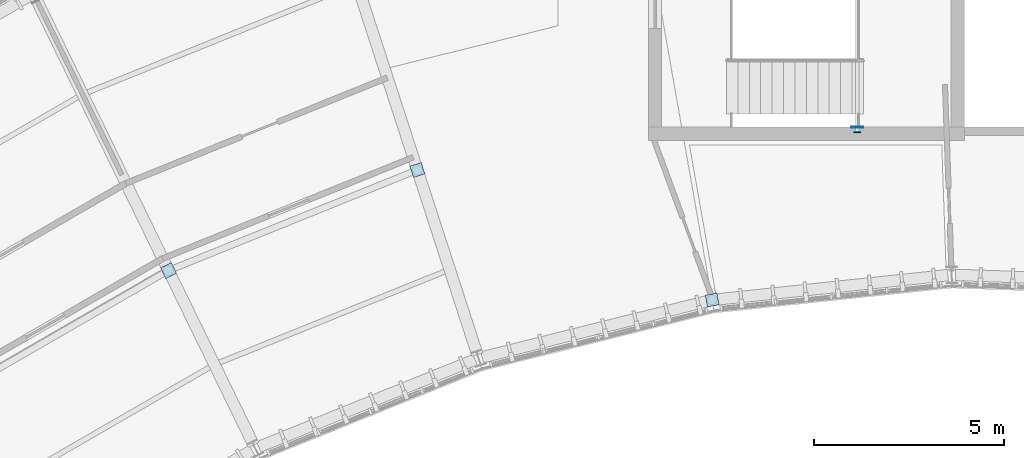
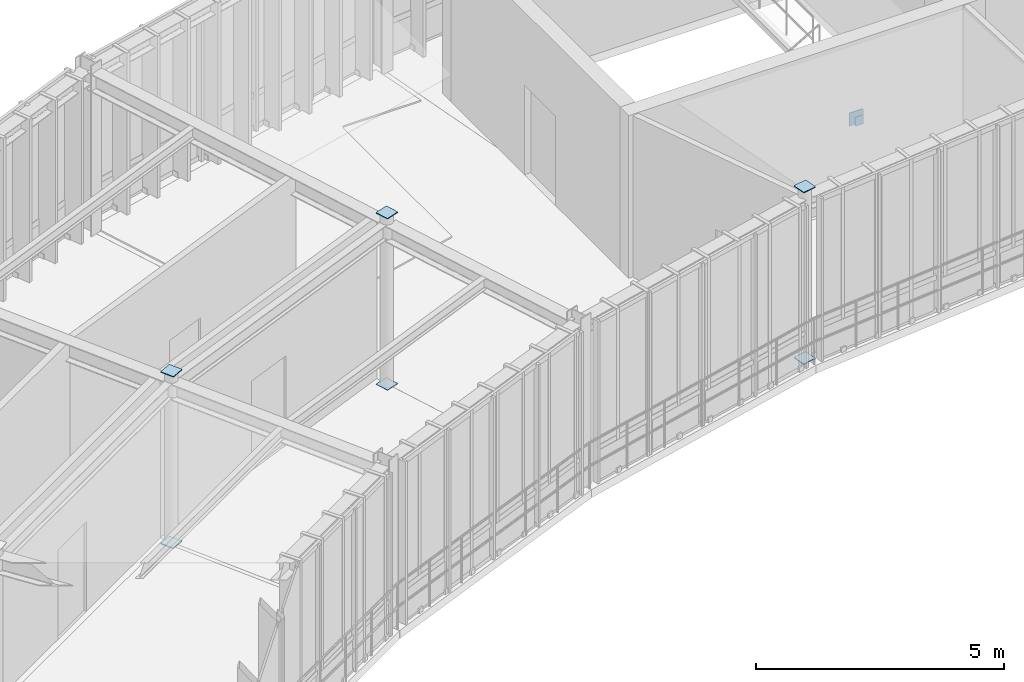
# One storey, part 36 of 52: 8 plates.
"""IFC4 building model written with IfcOpenShell, lengths in metres."""

from ifc_helpers import new_model, si_unit, direction, frame, origin, origin_2d, place, context, subcontext, project, spatial, rectangle, extrude, material, layer, layer_set, type_object, element, save


model = new_model("IFC4")

# Units and contexts
model_context = context("Model", 3, precision=1e-05, world=origin(), true_north=direction((0.0, 1.0)))
body_context = subcontext(model_context, "Body", "Model", "MODEL_VIEW")
ifc_project = project(units=[si_unit("LENGTHUNIT", "METRE"), si_unit("AREAUNIT", "SQUARE_METRE"), si_unit("VOLUMEUNIT", "CUBIC_METRE"), si_unit("PLANEANGLEUNIT", "RADIAN"), si_unit("MASSUNIT", "GRAM", prefix="KILO"), si_unit("THERMODYNAMICTEMPERATUREUNIT", "KELVIN"), si_unit("POWERUNIT", "WATT")], contexts=[model_context])

# Site, building, storey
site_placement = place(None, origin())
site = spatial("IfcSite", under=ifc_project, at=site_placement, CompositionType="ELEMENT")
building_placement = place(site_placement, origin())
building = spatial("IfcBuilding", under=site, at=building_placement, Name="Solvatero Civic Police Headquarters", CompositionType="ELEMENT")
storey_placement = place(building_placement, frame((0.0, 0.0, 13.5)))
storey = spatial("IfcBuildingStorey", under=building, at=storey_placement, Name="L03", CompositionType="ELEMENT", Elevation=13.5)

# Plates
ifc_material = material(Name="Steel S355", Category="steel")
ifc_layer_1 = layer(ifc_material, 0.02001953125)
ifc_layer_set_1 = layer_set([ifc_layer_1], Name="Steel S355")
plate_type_1 = type_object("IfcPlateType", Name="PLT-CAP-20", PredefinedType="SHEET", material=ifc_layer_set_1)
for number, where, z_axis, x_axis, name in (
    (1, (86.125, 70.660888671875, 4.199951171875), (0.0, 0.0, 1.0), (0.984807753012, 0.173648177667, 0.0), "Hollow Section End Cap Plate 0005"),
    (2, (86.125, 70.660888671875, -0.02001953125), (0.0, 0.0, 1.0), (0.984807753012, 0.173648177667, 0.0), "Hollow Section End Cap Plate 0006"),
    (3, (78.379150390625, 74.075927734375, 4.199951171875), (0.0, 0.0, 1.0), (0.951056516295, 0.309016994375, 0.0), "Hollow Section End Cap Plate 0009"),
    (4, (78.379150390625, 74.075927734375, -0.02001953125), (0.0, 0.0, 1.0), (0.951056516295, 0.309016994375, 0.0), "Hollow Section End Cap Plate 0010"),
    (5, (71.84033203125, 71.43408203125, 4.199951171875), (0.0, 0.0, 1.0), (0.898794046299, 0.438371146789, 0.0), "Hollow Section End Cap Plate 0013"),
    (6, (71.84033203125, 71.43408203125, -0.02001953125), (0.0, 0.0, 1.0), (0.898794046299, 0.438371146789, 0.0), "Hollow Section End Cap Plate 0014"),
):
    element("IfcPlate", number, at=place(storey_placement, frame(where, z_axis=z_axis, x_axis=x_axis)), inside=storey, type_object=plate_type_1, Name=name, PredefinedType="SHEET", context=body_context, shape_type="SweptSolid", body=[
        extrude(rectangle(XDim=0.31298828125, YDim=0.31298828125, at=origin_2d()), origin(), (0.0, 0.0, 1.0), 0.02001953125),
    ])
plate_1_placement = place(storey_placement, frame((89.93994140625, 75.070068359375, 1.71484375), z_axis=(0.0, 0.0, 1.0), x_axis=(1.0, 0.0, 0.0)))
element("IfcPlate", 7, at=plate_1_placement, inside=storey, type_object=plate_type_1, Name="Hollow Section Cap Plate 0047", PredefinedType="SHEET", context=body_context, shape_type="SweptSolid", body=[
    extrude(rectangle(XDim=0.179931640625, YDim=0.02001953125, at=origin_2d()), origin(), (0.0, 0.0, 1.0), 0.219970703125),
])
ifc_layer_2 = layer(ifc_material, 0.02490234375)
ifc_layer_set_2 = layer_set([ifc_layer_2], Name="Steel S355")
plate_type_2 = type_object("IfcPlateType", Name="PLT-EMB-25", PredefinedType="SHEET", material=ifc_layer_set_2)
plate_2_placement = place(storey_placement, frame((89.93994140625, 75.199951171875, 1.6650390625), z_axis=(0.0, 0.0, 1.0), x_axis=(1.0, 0.0, 0.0)))
element("IfcPlate", 8, at=plate_2_placement, inside=storey, type_object=plate_type_2, Name="Cast-In Shear Wall Embed Plate 0047", PredefinedType="SHEET", context=body_context, shape_type="SweptSolid", body=[
    extrude(rectangle(XDim=0.320068359375, YDim=0.02490234375, at=origin_2d()), origin(), (0.0, 0.0, 1.0), 0.320068359375),
])

save(model, "model.ifc")
